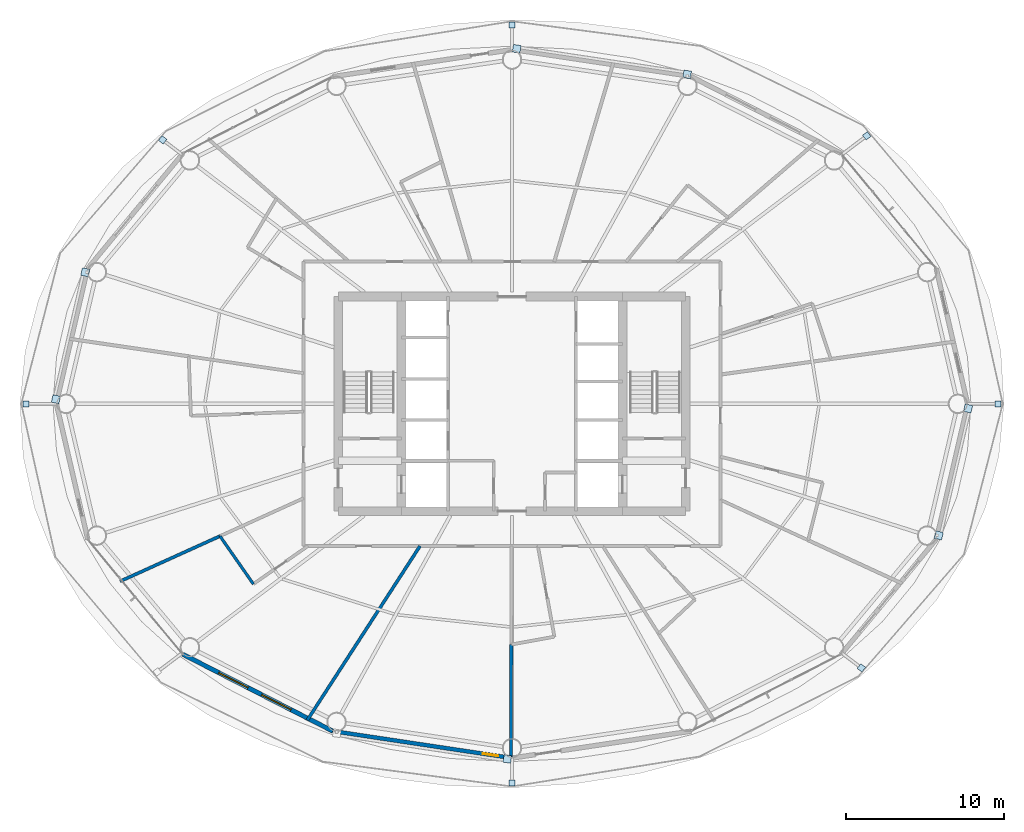
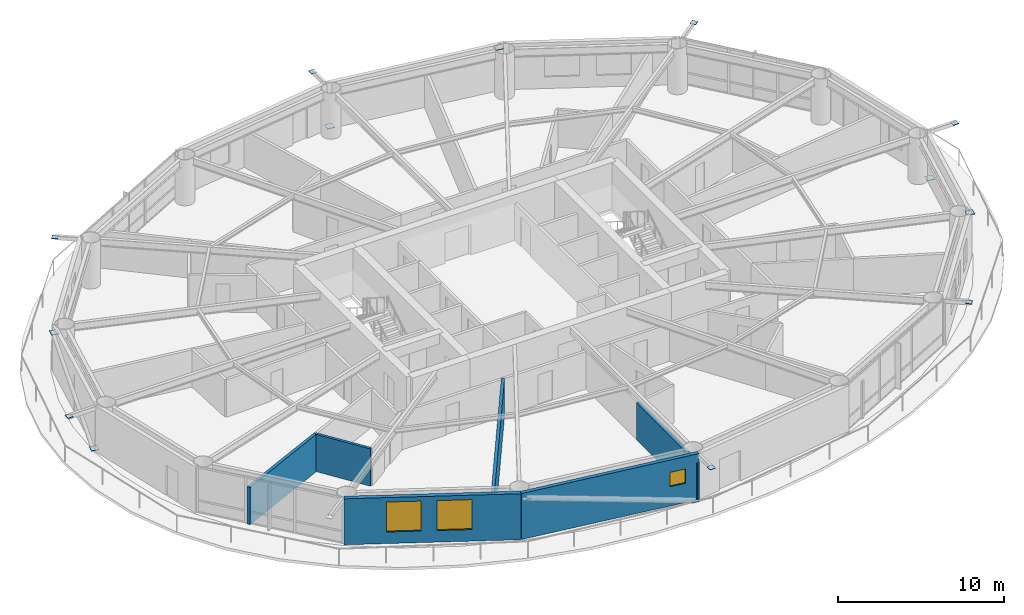
# One storey, part 17 of 24: 14 plates, 6 walls, 3 windows, 3 openings.
"""IFC4 building model written with IfcOpenShell, lengths in metres."""

from ifc_helpers import new_model, si_unit, direction, frame, frame_2d, origin, origin_2d, place, context, subcontext, project, spatial, rectangle, extrude, material, layer, layer_set, type_object, element, fill, save


model = new_model("IFC4")

# Units and contexts
model_context = context("Model", 3, precision=1e-05, world=origin(), true_north=direction((0.0, 1.0)))
body_context = subcontext(model_context, "Body", "Model", "MODEL_VIEW")
ifc_project = project(units=[si_unit("LENGTHUNIT", "METRE"), si_unit("AREAUNIT", "SQUARE_METRE"), si_unit("VOLUMEUNIT", "CUBIC_METRE"), si_unit("PLANEANGLEUNIT", "RADIAN"), si_unit("MASSUNIT", "GRAM", prefix="KILO")], contexts=[model_context])

# Site, building, storey
site_placement = place(None, origin())
site = spatial("IfcSite", under=ifc_project, at=site_placement, CompositionType="ELEMENT")
building_placement = place(site_placement, origin())
building = spatial("IfcBuilding", under=site, at=building_placement, Name="Sarneth Arch Tower", CompositionType="ELEMENT")
storey_placement = place(building_placement, frame((0.0, 0.0, 116.39990234375)))
storey = spatial("IfcBuildingStorey", under=building, at=storey_placement, Name="L29", CompositionType="ELEMENT", Elevation=116.39990234375)

# Plates
ifc_material_1 = material(Name="Steel S355", Category="steel")
ifc_layer_1 = layer(ifc_material_1, 0.035888671875)
ifc_layer_set_1 = layer_set([ifc_layer_1], Name="Steel S355")
plate_type = type_object("IfcPlateType", Name="PLT-GUSSET-30", PredefinedType="SHEET", material=ifc_layer_set_1)
for number, where, z_axis, x_axis, name in (
    (1, (78.788330078125, 42.0, 3.2021484375), (0.0, 0.0, 1.0), (1.0, 0.0, 0.0), "Steel end cap plate GP-1"),
    (2, (70.46044921875, 58.973876953125, 3.2021484375), (0.0, 0.0, 1.0), (0.797794439539, 0.602929541689, 0.0), "Steel end cap plate GP-1"),
):
    element("IfcPlate", number, at=place(storey_placement, frame(where, z_axis=z_axis, x_axis=x_axis)), inside=storey, type_object=plate_type, Name=name, PredefinedType="SHEET", context=body_context, shape_type="SweptSolid", body=[
        extrude(rectangle(XDim=0.3798828125, YDim=0.3798828125, at=origin_2d()), origin(), (0.0, 0.0, 1.0), 0.035888671875),
    ])
for number, where, z_axis, x_axis, name in (
    (3, (48.296630859375, 64.4853515625, 0.001953125), (0.0, 0.0, 1.0), (-0.988860535448, 0.148845024885, 0.0), "Steel end cap plate GP-1"),
    (4, (59.0927734375, 62.859619140625, 2.9951171875), (0.0, 0.0, 1.0), (-0.988860535448, 0.148845024885, 0.0), "Steel end cap plate GP-1"),
):
    element("IfcPlate", number, at=place(storey_placement, frame(where, z_axis=z_axis, x_axis=x_axis)), inside=storey, type_object=plate_type, Name=name, PredefinedType="SHEET", context=body_context, shape_type="SweptSolid", body=[
        extrude(rectangle(XDim=0.486083984375, YDim=0.486083984375, at=origin_2d()), origin(), (0.0, 0.0, 1.0), 0.035888671875),
    ])
for number, where, z_axis, x_axis, name in (
    (5, (48.0, 65.998291015625, 3.2021484375), (0.0, 0.0, 1.0), (0.0, 1.0, 0.0), "Steel end cap plate GP-1"),
    (6, (25.875732421875, 58.719970703125, 3.2021484375), (0.0, 0.0, 1.0), (-0.797794439539, 0.602929541689, 0.0), "Steel end cap plate GP-1"),
):
    element("IfcPlate", number, at=place(storey_placement, frame(where, z_axis=z_axis, x_axis=x_axis)), inside=storey, type_object=plate_type, Name=name, PredefinedType="SHEET", context=body_context, shape_type="SweptSolid", body=[
        extrude(rectangle(XDim=0.3798828125, YDim=0.3798828125, at=origin_2d()), origin(), (0.0, 0.0, 1.0), 0.035888671875),
    ])
for number, where, z_axis, x_axis, name in (
    (7, (19.121337890625, 42.292236328125, 0.001953125), (0.0, 0.0, 1.0), (-0.225291159947, -0.974291482694, 0.0), "Steel end cap plate GP-1"),
    (8, (20.98046875, 50.32958984375, 2.9951171875), (0.0, 0.0, 1.0), (-0.225291159947, -0.974291482694, 0.0), "Steel end cap plate GP-1"),
):
    element("IfcPlate", number, at=place(storey_placement, frame(where, z_axis=z_axis, x_axis=x_axis)), inside=storey, type_object=plate_type, Name=name, PredefinedType="SHEET", context=body_context, shape_type="SweptSolid", body=[
        extrude(rectangle(XDim=0.486083984375, YDim=0.486083984375, at=origin_2d()), origin(), (0.0, 0.0, 1.0), 0.035888671875),
    ])
plate_1_placement = place(storey_placement, frame((17.211669921875, 42.0, 3.2021484375), z_axis=(0.0, 0.0, 1.0), x_axis=(-1.0, 0.0, 0.0)))
element("IfcPlate", 9, at=plate_1_placement, inside=storey, type_object=plate_type, Name="Steel end cap plate GP-1", PredefinedType="SHEET", context=body_context, shape_type="SweptSolid", body=[
    extrude(rectangle(XDim=0.3798828125, YDim=0.3798828125, at=origin_2d()), origin(), (0.0, 0.0, 1.0), 0.035888671875),
])
plate_2_placement = place(storey_placement, frame((47.703369140625, 19.5146484375, 0.001953125), z_axis=(0.0, 0.0, 1.0), x_axis=(0.988860535448, -0.148845024885, 0.0)))
element("IfcPlate", 10, at=plate_2_placement, inside=storey, type_object=plate_type, Name="Steel end cap plate GP-1", PredefinedType="SHEET", context=body_context, shape_type="SweptSolid", body=[
    extrude(rectangle(XDim=0.486083984375, YDim=0.486083984375, at=origin_2d()), origin(), (0.0, 0.0, 1.0), 0.035888671875),
])
for number, where, z_axis, x_axis, name in (
    (11, (48.0, 18.001708984375, 3.2021484375), (0.0, 0.0, 1.0), (0.0, -1.0, 0.0), "Steel end cap plate GP-1"),
    (12, (70.124267578125, 25.280029296875, 3.2021484375), (0.0, 0.0, 1.0), (0.797794439539, -0.602929541689, 0.0), "Steel end cap plate GP-1"),
):
    element("IfcPlate", number, at=place(storey_placement, frame(where, z_axis=z_axis, x_axis=x_axis)), inside=storey, type_object=plate_type, Name=name, PredefinedType="SHEET", context=body_context, shape_type="SweptSolid", body=[
        extrude(rectangle(XDim=0.3798828125, YDim=0.3798828125, at=origin_2d()), origin(), (0.0, 0.0, 1.0), 0.035888671875),
    ])
for number, where, z_axis, x_axis, name in (
    (13, (76.878662109375, 41.707763671875, 0.001953125), (0.0, 0.0, 1.0), (0.225291159947, 0.974291482694, 0.0), "Steel end cap plate GP-1"),
    (14, (75.01953125, 33.67041015625, 2.9951171875), (0.0, 0.0, 1.0), (0.225291159947, 0.974291482694, 0.0), "Steel end cap plate GP-1"),
):
    element("IfcPlate", number, at=place(storey_placement, frame(where, z_axis=z_axis, x_axis=x_axis)), inside=storey, type_object=plate_type, Name=name, PredefinedType="SHEET", context=body_context, shape_type="SweptSolid", body=[
        extrude(rectangle(XDim=0.486083984375, YDim=0.486083984375, at=origin_2d()), origin(), (0.0, 0.0, 1.0), 0.035888671875),
    ])

# Wall, opening, window
ifc_material_2 = material(Name="Extruded terracotta rainscreen on Concrete C40/50 backing", Category="masonry")
ifc_layer_2 = layer(ifc_material_2, 0.25)
ifc_layer_set_2 = layer_set([ifc_layer_2], Name="Extruded terracotta rainscreen on Concrete C40/50 backing")
wall_type_1 = type_object("IfcWallType", Name="WALL-EXT-SPAND-250", PredefinedType="SOLIDWALL", material=ifc_layer_set_2)
wall_1_placement = place(storey_placement, frame((36.648681640625, 21.27734375, 0.0), z_axis=(0.0, 0.0, 1.0), x_axis=(0.988877774656, -0.148730450117, 0.0)))
wall_1 = element("IfcWall", 15, at=wall_1_placement, inside=storey, type_object=wall_type_1, Name="L29 Terracotta perimeter wall 12", PredefinedType="SOLIDWALL", context=body_context, shape_type="SweptSolid", body=[
    extrude(rectangle(XDim=11.47900390625, YDim=0.25, at=frame_2d((5.739501953125, 0.0))), origin(), (0.0, 0.0, 1.0), 3.380126953125),
])
opening_1_placement = place(wall_1_placement, frame((9.605224609375, 0.0, 1.419921875)))
opening_1 = element("IfcOpeningElement", 16, at=opening_1_placement, cuts=wall_1, Name="Opening W-14", PredefinedType="OPENING", context=body_context, shape_type="SweptSolid", body=[
    extrude(rectangle(XDim=1.0, YDim=1.050048828125, at=frame_2d((0.5, 0.52490234375))), frame((0.0, 0.135009765625, 0.0), z_axis=(0.0, -1.0, 0.0), x_axis=(1.0, 0.0, 0.0)), (0.0, 0.0, 1.0), 0.27001953125),
])
ifc_material_3 = material(Name="Thermally broken Aluminium 6063-T6 and low-e laminated IGU", Category="aluminium")
window_type_1 = type_object("IfcWindowType", Name="WIN-TWR-1000x1050", PartitioningType="SINGLE_PANEL", PredefinedType="WINDOW", material=ifc_material_3)
window_1_placement = place(opening_1_placement, origin())
window_1 = element("IfcWindow", 17, at=window_1_placement, inside=storey, type_object=window_type_1, Name="L29 Dwelling bedroom window 01", OverallHeight=1.050048828125, OverallWidth=1.0, PartitioningType="SINGLE_PANEL", PredefinedType="WINDOW", context=body_context, shape_type="SweptSolid", body=[
    extrude(rectangle(XDim=1.0, YDim=1.050048828125, at=frame_2d((0.5, 0.52490234375))), frame((0.0, 0.030029296875, 0.0), z_axis=(0.0, -1.0, 0.0), x_axis=(1.0, 0.0, 0.0)), (0.0, 0.0, 1.0), 0.06005859375),
])
fill(opening_1, window_1)

# Wall, openings, windows
ifc_material_4 = material(Name="Extruded terracotta rainscreen on Concrete C40/50 backing", Category="masonry")
ifc_layer_3 = layer(ifc_material_4, 0.280029296875)
ifc_layer_set_3 = layer_set([ifc_layer_3], Name="Extruded terracotta rainscreen on Concrete C40/50 backing")
wall_type_2 = type_object("IfcWallType", Name="WALL-EXT-TERRA-280", PredefinedType="SOLIDWALL", material=ifc_layer_set_3)
wall_2_placement = place(storey_placement, frame((27.159912109375, 26.1396484375, 0.0), z_axis=(0.0, 0.0, 1.0), x_axis=(0.889959505023, -0.45603955905, 0.0)))
wall_2 = element("IfcWall", 18, at=wall_2_placement, inside=storey, type_object=wall_type_2, Name="L29 Terracotta perimeter wall 11", PredefinedType="SOLIDWALL", context=body_context, shape_type="SweptSolid", body=[
    extrude(rectangle(XDim=10.662109375, YDim=0.280029296875, at=frame_2d((5.3310546875, 0.0))), origin(), (0.0, 0.0, 1.0), 3.380126953125),
])
opening_2_placement = place(wall_2_placement, frame((2.547607421875, 0.0, 0.85009765625)))
opening_2 = element("IfcOpeningElement", 19, at=opening_2_placement, cuts=wall_2, Name="Opening W-03", PredefinedType="OPENING", context=body_context, shape_type="SweptSolid", body=[
    extrude(rectangle(XDim=2.10009765625, YDim=2.199951171875, at=frame_2d((1.050048828125, 1.10009765625))), frame((0.0, 0.14990234375, 0.0), z_axis=(0.0, -1.0, 0.0), x_axis=(1.0, 0.0, 0.0)), (0.0, 0.0, 1.0), 0.300048828125),
])
opening_3_placement = place(wall_2_placement, frame((5.60498046875, 0.0, 0.85009765625)))
opening_3 = element("IfcOpeningElement", 20, at=opening_3_placement, cuts=wall_2, Name="Opening W-03", PredefinedType="OPENING", context=body_context, shape_type="SweptSolid", body=[
    extrude(rectangle(XDim=2.10009765625, YDim=2.199951171875, at=frame_2d((1.050048828125, 1.10009765625))), frame((0.0, 0.14990234375, 0.0), z_axis=(0.0, -1.0, 0.0), x_axis=(1.0, 0.0, 0.0)), (0.0, 0.0, 1.0), 0.300048828125),
])
ifc_material_5 = material(Name="Thermally broken Aluminium 6063-T6 and low-e laminated IGU", Category="aluminium")
window_type_2 = type_object("IfcWindowType", Name="WIN-TWR-2100x2200", PartitioningType="DOUBLE_PANEL_VERTICAL", PredefinedType="WINDOW", material=ifc_material_5)
window_2_placement = place(opening_2_placement, origin())
window_2 = element("IfcWindow", 21, at=window_2_placement, inside=storey, type_object=window_type_2, Name="L29 Exterior window 11A", OverallHeight=2.199951171875, OverallWidth=2.10009765625, PartitioningType="SINGLE_PANEL", PredefinedType="WINDOW", context=body_context, shape_type="SweptSolid", body=[
    extrude(rectangle(XDim=2.10009765625, YDim=2.199951171875, at=frame_2d((1.050048828125, 1.10009765625))), frame((0.0, 0.030029296875, 0.0), z_axis=(0.0, -1.0, 0.0), x_axis=(1.0, 0.0, 0.0)), (0.0, 0.0, 1.0), 0.06005859375),
])
fill(opening_2, window_2)
window_3_placement = place(opening_3_placement, origin())
window_3 = element("IfcWindow", 22, at=window_3_placement, inside=storey, type_object=window_type_2, Name="L29 Exterior window 11B", OverallHeight=2.199951171875, OverallWidth=2.10009765625, PartitioningType="SINGLE_PANEL", PredefinedType="WINDOW", context=body_context, shape_type="SweptSolid", body=[
    extrude(rectangle(XDim=2.10009765625, YDim=2.199951171875, at=frame_2d((1.050048828125, 1.10009765625))), frame((0.0, 0.030029296875, 0.0), z_axis=(0.0, -1.0, 0.0), x_axis=(1.0, 0.0, 0.0)), (0.0, 0.0, 1.0), 0.06005859375),
])
fill(opening_3, window_3)

# Walls
ifc_material_6 = material(Name="Moisture-resistant plumbing chase wall", Category="gypsum")
ifc_layer_4 = layer(ifc_material_6, 0.179931640625)
ifc_layer_set_4 = layer_set([ifc_layer_4], Name="Moisture-resistant plumbing chase wall")
wall_type_3 = type_object("IfcWallType", Name="WALL-PLUMB-180", PredefinedType="PLUMBINGWALL", material=ifc_layer_set_4)
wall_3_placement = place(storey_placement, frame((31.621826171875, 30.58984375, 0.0), z_axis=(0.0, 0.0, 1.0), x_axis=(-0.571609603384, 0.820525722521, 0.0)))
element("IfcWall", 23, at=wall_3_placement, inside=storey, type_object=wall_type_3, Name="L29 Interior partition W-L29-TP-049", PredefinedType="PLUMBINGWALL", context=body_context, shape_type="SweptSolid", body=[
    extrude(rectangle(XDim=3.69970703125, YDim=0.179931640625, at=frame_2d((1.849853515625, 0.0))), origin(), (0.0, 0.0, 1.0), 2.739990234375),
])
ifc_material_7 = material(Name="Double steel-stud acoustic drywall", Category="steel")
ifc_layer_5 = layer(ifc_material_7, 0.199951171875)
ifc_layer_set_5 = layer_set([ifc_layer_5], Name="Double steel-stud acoustic drywall")
wall_type_4 = type_object("IfcWallType", Name="WALL-UNIT-200", PredefinedType="PARTITIONING", material=ifc_layer_set_5)
wall_4_placement = place(storey_placement, frame((35.037109375, 21.96923828125, 0.0), z_axis=(0.0, 0.0, 1.0), x_axis=(0.543298274368, 0.839539745973, 0.0)))
element("IfcWall", 24, at=wall_4_placement, inside=storey, type_object=wall_type_4, Name="L29 Interior partition W-L29-TP-050", PredefinedType="PARTITIONING", context=body_context, shape_type="SweptSolid", body=[
    extrude(rectangle(XDim=13.13916015625, YDim=0.199951171875, at=frame_2d((6.569580078125, 0.0))), origin(), (0.0, 0.0, 1.0), 2.739990234375),
])
wall_5_placement = place(storey_placement, frame((47.928466796875, 19.460693359375, 0.0), z_axis=(0.0, 0.0, 1.0), x_axis=(0.003178198127, 0.999994949516, 0.0)))
element("IfcWall", 25, at=wall_5_placement, inside=storey, type_object=wall_type_4, Name="L29 Interior partition W-L29-TP-051", PredefinedType="PARTITIONING", context=body_context, shape_type="SweptSolid", body=[
    extrude(rectangle(XDim=7.297607421875, YDim=0.199951171875, at=frame_2d((3.64892578125, 0.0))), origin(), (0.0, 0.0, 1.0), 2.739990234375),
])
wall_6_placement = place(storey_placement, frame((23.1845703125, 30.76220703125, 0.0), z_axis=(0.0, 0.0, 1.0), x_axis=(0.910940213411, 0.412538395292, 0.0)))
element("IfcWall", 26, at=wall_6_placement, inside=storey, type_object=wall_type_4, Name="L29 Interior partition W-L29-TP-046", PredefinedType="PARTITIONING", context=body_context, shape_type="SweptSolid", body=[
    extrude(rectangle(XDim=6.940673828125, YDim=0.199951171875, at=frame_2d((3.47021484375, 0.0))), origin(), (0.0, 0.0, 1.0), 2.739990234375),
])

save(model, "model.ifc")
